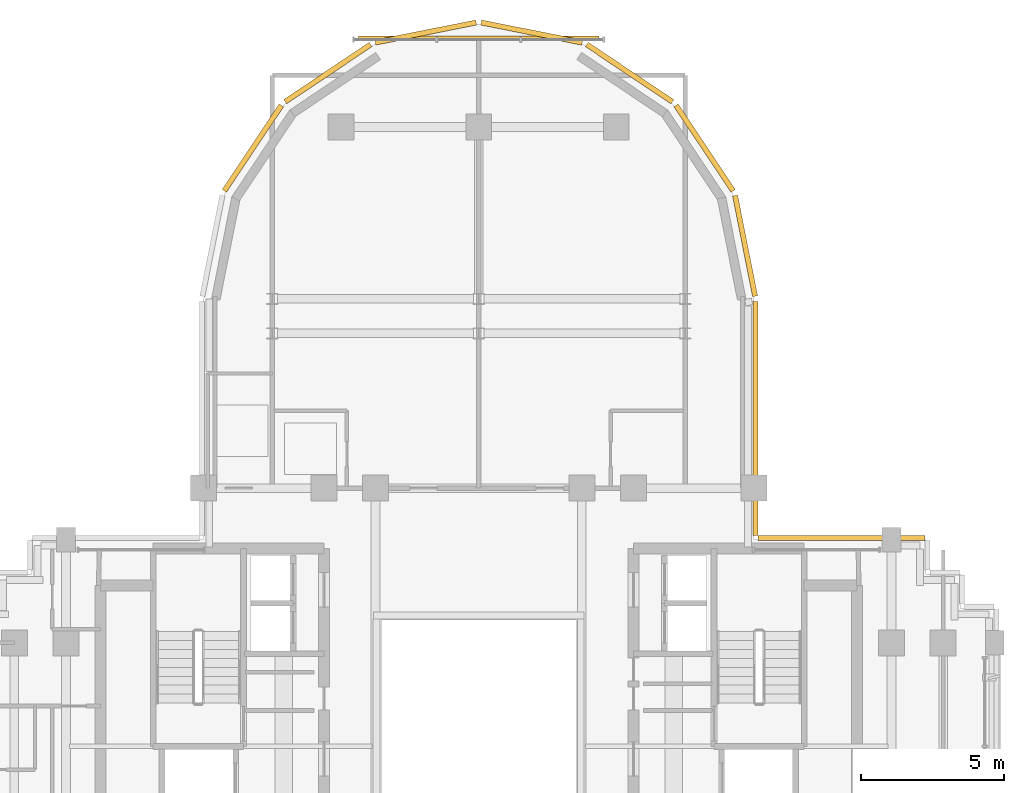
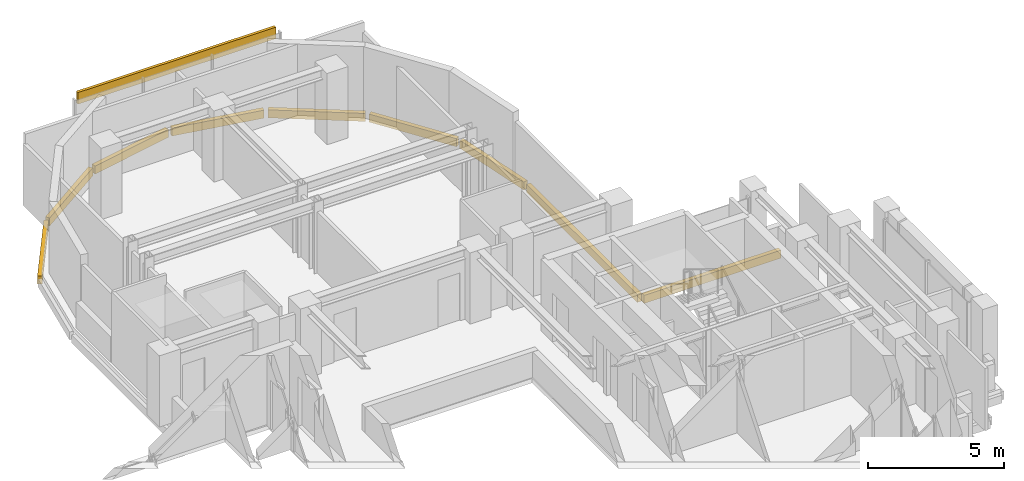
# One storey, part 12 of 12: 10 coverings.
"""IFC4 building model written with IfcOpenShell, lengths in metres."""

from ifc_helpers import new_model, si_unit, direction, frame, origin, origin_2d, place, context, subcontext, project, spatial, rectangle, extrude, source, transform, mapped, material, layer, layer_set, type_object, element, save


model = new_model("IFC4")

# Units and contexts
model_context = context("Model", 3, precision=1e-05, world=origin(), true_north=direction((0.0, 1.0)))
body_context = subcontext(model_context, "Body", "Model", "MODEL_VIEW")
ifc_project = project(units=[si_unit("LENGTHUNIT", "METRE"), si_unit("AREAUNIT", "SQUARE_METRE"), si_unit("VOLUMEUNIT", "CUBIC_METRE"), si_unit("PLANEANGLEUNIT", "RADIAN"), si_unit("MASSUNIT", "GRAM", prefix="KILO")], contexts=[model_context])

# Site, building, storey
site_placement = place(None, origin())
site = spatial("IfcSite", under=ifc_project, at=site_placement, CompositionType="ELEMENT")
building_placement = place(site_placement, origin())
building = spatial("IfcBuilding", under=site, at=building_placement, Name="Keilestroom Media Tower", CompositionType="ELEMENT")
storey_placement = place(building_placement, frame((0.0, 0.0, 184.199951171875)))
storey = spatial("IfcBuildingStorey", under=building, at=storey_placement, Name="L50", CompositionType="ELEMENT", Elevation=184.199951171875)

# Coverings
ifc_material = material(Name="Precast concrete C40/50", Category="concrete")
ifc_layer = layer(ifc_material, 0.1201171875)
ifc_layer_set = layer_set([ifc_layer], Name="Precast concrete C40/50")
covering_type = type_object("IfcCoveringType", Name="Exterior-Precast-Spandrel-Cladding-Panel-120", PredefinedType="CLADDING", material=ifc_layer_set)
shared_shape_1 = source(origin(), body_context, "Body", "SweptSolid", [
    extrude(rectangle(XDim=8.39990234375, YDim=0.1201171875, at=origin_2d()), origin(), (0.0, 0.0, 1.0), 0.52001953125),
])
covering_1_placement = place(storey_placement, frame((0.0, 24.719970703125, 2.68994140625), z_axis=(0.0, 0.0, 1.0), x_axis=(1.0, 0.0, 0.0)))
element("IfcCovering", 1, at=covering_1_placement, inside=storey, type_object=covering_type, Name="L50 Precast Spandrel Cladding N", PredefinedType="CLADDING", context=body_context, shape_type="MappedRepresentation", body=[
    mapped(shared_shape_1, transform((0.0, 0.0, 0.0), x_axis=(1.0, 0.0, 0.0), y_axis=(0.0, 1.0, 0.0), z_axis=(0.0, 0.0, 1.0), scale=1.0)),
])
shared_shape_2 = source(origin(), body_context, "Body", "SweptSolid", [
    extrude(rectangle(XDim=8.166015625, YDim=0.179931640625, at=origin_2d()), origin(), (0.0, 0.0, 1.0), 0.360107421875),
])
covering_2_placement = place(storey_placement, frame((9.659912109375, 11.43310546875, -0.5400390625), z_axis=(0.0, 0.0, 1.0), x_axis=(0.0, -1.0, 0.0)))
element("IfcCovering", 2, at=covering_2_placement, inside=storey, type_object=covering_type, Name="L50 Precast Slab-Edge Fascia Cornice 36", PredefinedType="CLADDING", context=body_context, shape_type="MappedRepresentation", body=[
    mapped(shared_shape_2, transform((0.0, 0.0, 0.0), x_axis=(1.0, 0.0, 0.0), y_axis=(0.0, 1.0, 0.0), z_axis=(0.0, 0.0, 1.0), scale=1.0)),
])
shared_shape_3 = source(origin(), body_context, "Body", "SweptSolid", [
    extrude(rectangle(XDim=3.58349609375, YDim=0.179931640625, at=origin_2d()), origin(), (0.0, 0.0, 1.0), 0.360107421875),
])
covering_3_placement = place(storey_placement, frame((9.29296875, 17.45166015625, -0.5400390625), z_axis=(0.0, 0.0, 1.0), x_axis=(0.195098880975, -0.980783577882, 0.0)))
element("IfcCovering", 3, at=covering_3_placement, inside=storey, type_object=covering_type, Name="L50 Precast Slab-Edge Fascia Cornice 35", PredefinedType="CLADDING", context=body_context, shape_type="MappedRepresentation", body=[
    mapped(shared_shape_3, transform((0.0, 0.0, 0.0), x_axis=(1.0, 0.0, 0.0), y_axis=(0.0, 1.0, 0.0), z_axis=(0.0, 0.0, 1.0), scale=1.0)),
])
shared_shape_4 = source(origin(), body_context, "Body", "SweptSolid", [
    extrude(rectangle(XDim=3.589599609375, YDim=0.179931640625, at=origin_2d()), origin(), (0.0, 0.0, 1.0), 0.360107421875),
])
for number, where, z_axis, x_axis, name in (
    (4, (-7.878662109375, 20.8642578125, -0.5400390625), (0.0, 0.0, 1.0), (0.555574586577, 0.831466703332, 0.0), "L50 Precast Slab-Edge Fascia Cornice 29"),
    (5, (-5.264404296875, 23.478515625, -0.5400390625), (0.0, 0.0, 1.0), (0.831466703332, 0.555574586577, 0.0), "L50 Precast Slab-Edge Fascia Cornice 30"),
    (6, (-1.8486328125, 24.893310546875, -0.5400390625), (0.0, 0.0, 1.0), (0.980783577882, 0.195098880975, 0.0), "L50 Precast Slab-Edge Fascia Cornice 31"),
    (7, (1.8486328125, 24.893310546875, -0.5400390625), (0.0, 0.0, 1.0), (0.980783577882, -0.195098880975, 0.0), "L50 Precast Slab-Edge Fascia Cornice 32"),
    (8, (5.264404296875, 23.478515625, -0.5400390625), (0.0, 0.0, 1.0), (0.831466703332, -0.555574586577, 0.0), "L50 Precast Slab-Edge Fascia Cornice 33"),
    (9, (7.878662109375, 20.8642578125, -0.5400390625), (0.0, 0.0, 1.0), (0.555574586577, -0.831466703332, 0.0), "L50 Precast Slab-Edge Fascia Cornice 34"),
):
    element("IfcCovering", number, at=place(storey_placement, frame(where, z_axis=z_axis, x_axis=x_axis)), inside=storey, type_object=covering_type, Name=name, PredefinedType="CLADDING", context=body_context, shape_type="MappedRepresentation", body=[
        mapped(shared_shape_4, transform((0.0, 0.0, 0.0), x_axis=(1.0, 0.0, 0.0), y_axis=(0.0, 1.0, 0.0), z_axis=(0.0, 0.0, 1.0), scale=1.0)),
    ])
shared_shape_5 = source(origin(), body_context, "Body", "SweptSolid", [
    extrude(rectangle(XDim=5.820068359375, YDim=0.179931640625, at=origin_2d()), origin(), (0.0, 0.0, 1.0), 0.360107421875),
])
covering_4_placement = place(storey_placement, frame((12.659912109375, 7.260009765625, -0.5400390625), z_axis=(0.0, 0.0, 1.0), x_axis=(1.0, 0.0, 0.0)))
element("IfcCovering", 10, at=covering_4_placement, inside=storey, type_object=covering_type, Name="L50 Precast Slab-Edge Fascia Cornice 37", PredefinedType="CLADDING", context=body_context, shape_type="MappedRepresentation", body=[
    mapped(shared_shape_5, transform((0.0, 0.0, 0.0), x_axis=(1.0, 0.0, 0.0), y_axis=(0.0, 1.0, 0.0), z_axis=(0.0, 0.0, 1.0), scale=1.0)),
])

save(model, "model.ifc")
